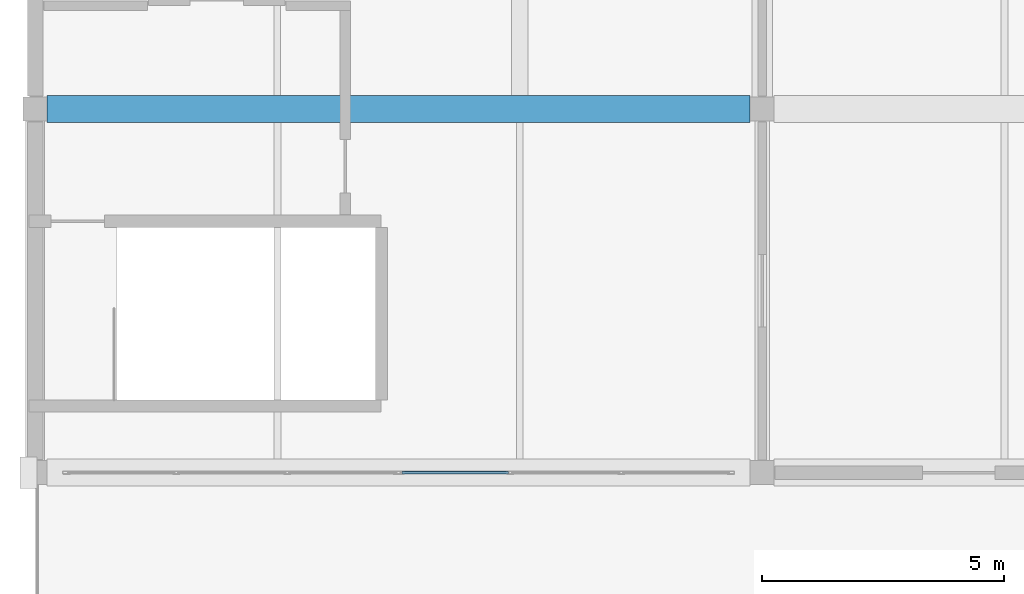
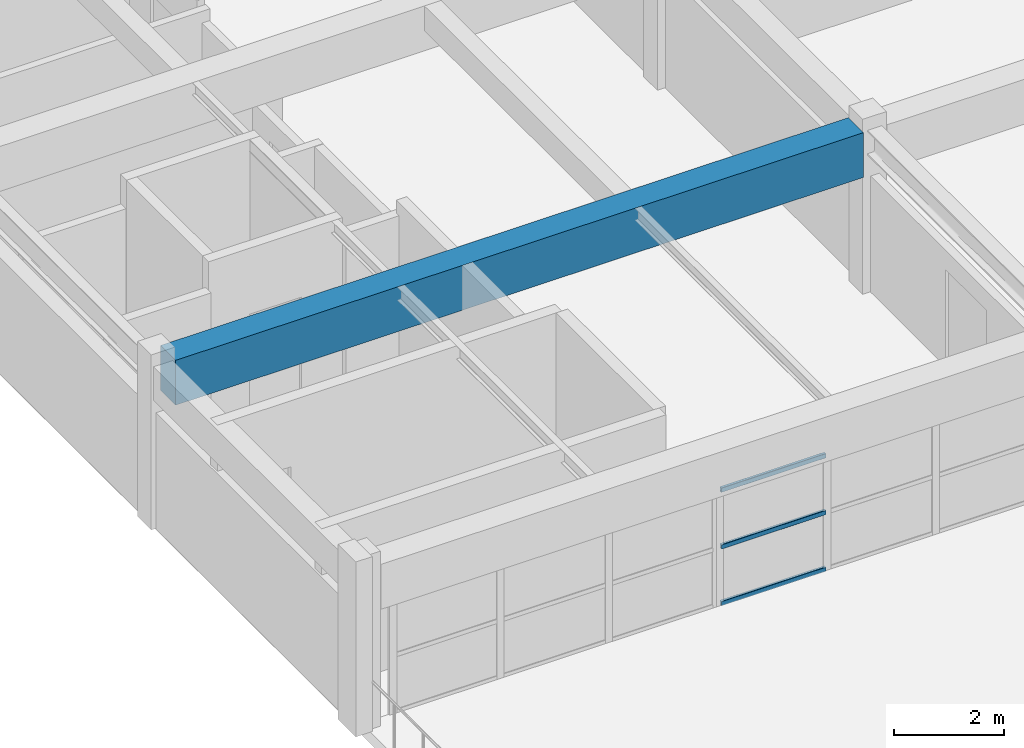
# One storey, part 5 of 82: 3 members, 1 beam, 1 element without a shape of its own.
"""IFC4 building model written with IfcOpenShell, lengths in metres."""

from ifc_helpers import new_model, si_unit, direction, frame, origin, origin_2d, place, context, subcontext, project, spatial, rectangle, hollow_rectangle, extrude, material, material_profile, profile_set, type_object, element, aggregate, save


model = new_model("IFC4")

# Units and contexts
model_context = context("Model", 3, precision=1e-05, world=origin(), true_north=direction((0.0, 1.0)))
body_context = subcontext(model_context, "Body", "Model", "MODEL_VIEW")
ifc_project = project(units=[si_unit("LENGTHUNIT", "METRE"), si_unit("AREAUNIT", "SQUARE_METRE"), si_unit("VOLUMEUNIT", "CUBIC_METRE"), si_unit("PLANEANGLEUNIT", "RADIAN"), si_unit("MASSUNIT", "GRAM", prefix="KILO")], contexts=[model_context])

# Site, building, storey
site_placement = place(None, origin())
site = spatial("IfcSite", under=ifc_project, at=site_placement, CompositionType="ELEMENT")
building_placement = place(site_placement, origin())
building = spatial("IfcBuilding", under=site, at=building_placement, Name="Qasida Concert Hall", CompositionType="ELEMENT")
storey_placement = place(building_placement, frame((0.0, 0.0, 17.10009765625)))
storey = spatial("IfcBuildingStorey", under=building, at=storey_placement, Name="L04", CompositionType="ELEMENT", Elevation=17.10009765625)

# Beam
ifc_material_1 = material(Name="Concrete C40/50", Category="concrete")
ifc_material_profile_1 = material_profile(ifc_material_1, rectangle(XDim=0.550048828125, YDim=1.0, at=origin_2d()), Name="RC 550x1000")
ifc_profile_set_1 = profile_set([ifc_material_profile_1], Name="Concrete C40/50")
beam_type = type_object("IfcBeamType", Name="BM-G3", PredefinedType="USERDEFINED", material=ifc_profile_set_1)
beam_placement = place(storey_placement, frame((0.25, 30.0, 3.119873046875), z_axis=(1.0, 0.0, 0.0), x_axis=(0.0, 1.0, 0.0)))
element("IfcBeam", 1, at=beam_placement, inside=storey, type_object=beam_type, Name="Primary girder 1895", ObjectType="GIRDER", PredefinedType="USERDEFINED", context=body_context, shape_type="SweptSolid", body=[
    extrude(rectangle(XDim=0.550048828125, YDim=1.0, at=origin_2d()), origin(), (0.0, 0.0, 1.0), 14.5),
])

# Curtain wall, members
ifc_material_2 = material(Name="Architectural bronze-anodized aluminium and low-E glass", Category="aluminium")
curtain_wall_type = type_object("IfcCurtainWallType", Name="CW-12", PredefinedType="NOTDEFINED", material=ifc_material_2)
curtain_wall_placement = place(storey_placement, origin())
curtain_wall = element("IfcCurtainWall", 2, at=curtain_wall_placement, inside=storey, type_object=curtain_wall_type, Name="L04 curtain wall CW-12 0132", PredefinedType="NOTDEFINED")
ifc_material_3 = material(Name="Architectural bronze-anodized aluminium EN AW-6063", Category="aluminium")
ifc_material_profile_2 = material_profile(ifc_material_3, hollow_rectangle(XDim=0.06005859375, YDim=0.10009765625, WallThickness=0.00341796875, InnerFilletRadius=0.00341796875, OuterFilletRadius=0.007080078125, at=origin_2d()), Name="CWT 100x60x3.5")
ifc_profile_set_2 = profile_set([ifc_material_profile_2], Name="Architectural bronze-anodized aluminium EN AW-6063")
member_type = type_object("IfcMemberType", Name="MB-CWT-3", PredefinedType="USERDEFINED", material=ifc_profile_set_2)
member_1_placement = place(storey_placement, frame((7.570068359375, 22.5, 0.02978515625), z_axis=(1.0, 0.0, 0.0), x_axis=(0.0, 1.0, 0.0)))
member_1 = element("IfcMember", 3, at=member_1_placement, type_object=member_type, Name="CW-12 transom 1.1", ObjectType="TRANSOM", PredefinedType="USERDEFINED", context=body_context, shape_type="SweptSolid", body=[
    extrude(hollow_rectangle(XDim=0.06005859375, YDim=0.10009765625, WallThickness=0.00341796875, InnerFilletRadius=0.00341796875, OuterFilletRadius=0.007080078125, at=origin_2d()), origin(), (0.0, 0.0, 1.0), 2.199951171875),
])
member_2_placement = place(storey_placement, frame((7.570068359375, 22.5, 1.294921875), z_axis=(1.0, 0.0, 0.0), x_axis=(0.0, 1.0, 0.0)))
member_2 = element("IfcMember", 4, at=member_2_placement, type_object=member_type, Name="CW-12 transom 1.2", ObjectType="TRANSOM", PredefinedType="USERDEFINED", context=body_context, shape_type="SweptSolid", body=[
    extrude(hollow_rectangle(XDim=0.06005859375, YDim=0.10009765625, WallThickness=0.00341796875, InnerFilletRadius=0.00341796875, OuterFilletRadius=0.007080078125, at=origin_2d()), origin(), (0.0, 0.0, 1.0), 2.199951171875),
])
member_3_placement = place(storey_placement, frame((7.570068359375, 22.5, 2.559814453125), z_axis=(1.0, 0.0, 0.0), x_axis=(0.0, 1.0, 0.0)))
member_3 = element("IfcMember", 5, at=member_3_placement, type_object=member_type, Name="CW-12 transom 1.3", ObjectType="TRANSOM", PredefinedType="USERDEFINED", context=body_context, shape_type="SweptSolid", body=[
    extrude(hollow_rectangle(XDim=0.06005859375, YDim=0.10009765625, WallThickness=0.00341796875, InnerFilletRadius=0.00341796875, OuterFilletRadius=0.007080078125, at=origin_2d()), origin(), (0.0, 0.0, 1.0), 2.199951171875),
])
aggregate(curtain_wall, [member_1, member_2, member_3])

save(model, "model.ifc")
